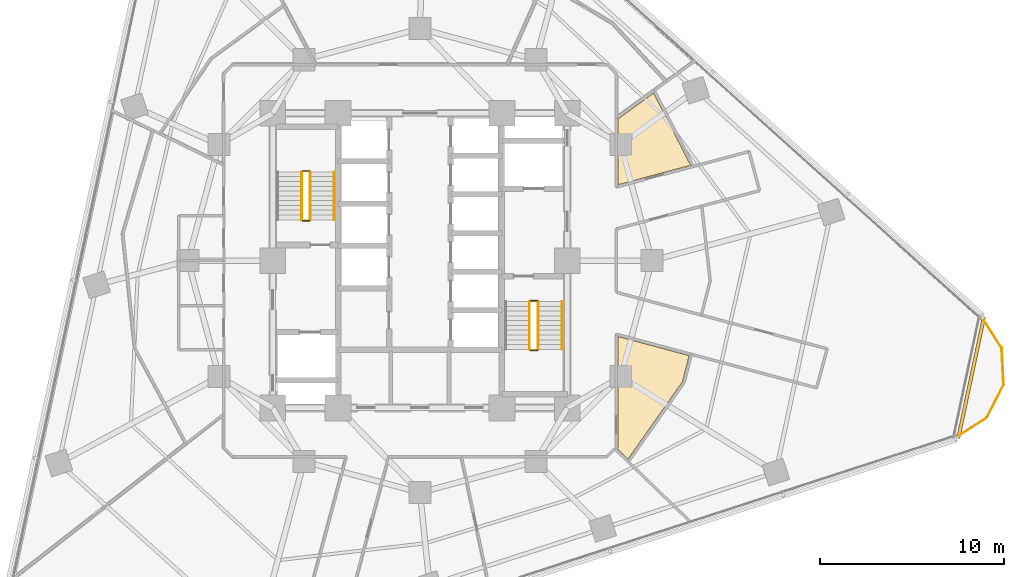
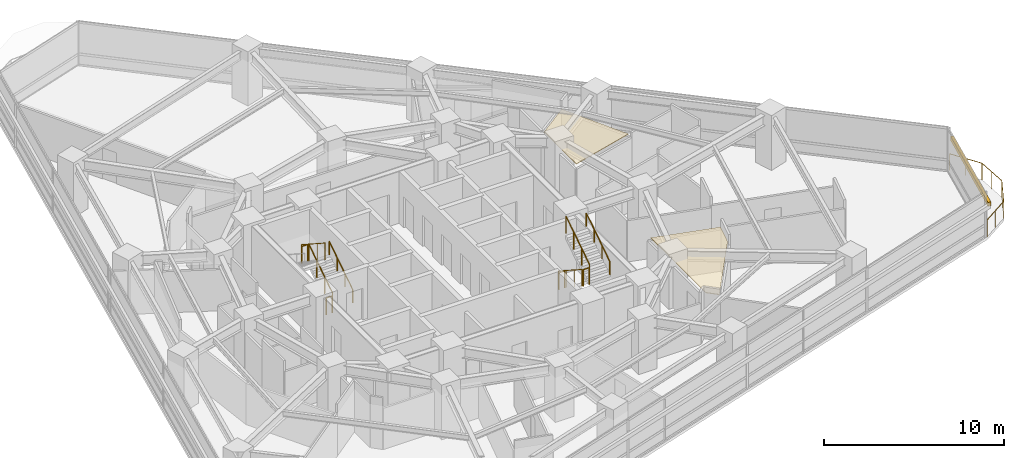
# One storey, part 12 of 13: 11 railings, 2 coverings, 1 shading device.
"""IFC4 building model written with IfcOpenShell, lengths in metres."""

from ifc_helpers import new_model, si_unit, direction, frame, origin, origin_2d, place, context, subcontext, project, spatial, polyline, rectangle, circle, outline, extrude, material, layer, layer_set, type_object, element, save


model = new_model("IFC4")

# Units and contexts
model_context = context("Model", 3, precision=1e-05, world=origin(), true_north=direction((0.0, 1.0)))
body_context = subcontext(model_context, "Body", "Model", "MODEL_VIEW")
ifc_project = project(units=[si_unit("LENGTHUNIT", "METRE"), si_unit("AREAUNIT", "SQUARE_METRE"), si_unit("VOLUMEUNIT", "CUBIC_METRE"), si_unit("PLANEANGLEUNIT", "RADIAN"), si_unit("MASSUNIT", "GRAM", prefix="KILO")], contexts=[model_context])

# Site, building, storey
site_placement = place(None, origin())
site = spatial("IfcSite", under=ifc_project, at=site_placement, CompositionType="ELEMENT")
building_placement = place(site_placement, origin())
building = spatial("IfcBuilding", under=site, at=building_placement, Name="Terralouvre Media Tower", CompositionType="ELEMENT")
storey_placement = place(building_placement, frame((0.0, 0.0, 105.10009765625)))
storey = spatial("IfcBuildingStorey", under=building, at=storey_placement, Name="L26", CompositionType="ELEMENT", Elevation=105.10009765625)

# Coverings
ifc_material_1 = material(Name="Perforated aluminium acoustic ceiling baffle", Category="aluminium")
ifc_layer_1 = layer(ifc_material_1, 0.0400390625, Name="Perforated Acoustic Metal Tile Ceiling CL-AC1")
ifc_layer_set_1 = layer_set([ifc_layer_1], Name="Perforated aluminium acoustic ceiling baffle")
covering_type = type_object("IfcCoveringType", Name="Perforated Acoustic Metal Tile Ceiling CL-AC1", PredefinedType="CEILING", material=ifc_layer_set_1)
covering_1_placement = place(storey_placement, frame((0.0, 0.0, 2.97998046875), z_axis=(0.0, 0.0, 1.0), x_axis=(0.951056516295, 0.309016994375, 0.0)))
element("IfcCovering", 1, at=covering_1_placement, inside=storey, type_object=covering_type, Name="L26 Club Reading Library 3 Acoustic Ceiling", PredefinedType="CEILING", context=body_context, shape_type="SweptSolid", body=[
    extrude(outline(polyline([(7.418212890625, -13.738525390625), (11.52783203125, -10.65625), (12.308837890625, -9.423828125), (8.949951171875, -7.242431640625), (7.08740234375, -12.97509765625), (7.083740234375, -12.984375), (7.07958984375, -12.9931640625), (7.07421875, -13.00146484375), (7.068359375, -13.00927734375), (7.0615234375, -13.016357421875), (7.05419921875, -13.022705078125), (7.046142578125, -13.0283203125), (7.04248046875, -13.030517578125), (7.418212890625, -13.738525390625)])), origin(), (0.0, 0.0, 1.0), 0.0400390625),
])
covering_2_placement = place(storey_placement, frame((0.0, 0.0, 2.97998046875), z_axis=(0.0, 0.0, 1.0), x_axis=(0.951056516295, 0.309016994375, 0.0)))
element("IfcCovering", 2, at=covering_2_placement, inside=storey, type_object=covering_type, Name="L26 Wellness Club Reception 5 Acoustic Ceiling", PredefinedType="CEILING", context=body_context, shape_type="SweptSolid", body=[
    extrude(outline(polyline([(12.599365234375, 3.98876953125), (11.497802734375, 0.5986328125), (15.578125, 0.385498046875), (14.880126953125, 4.729736328125), (12.599365234375, 3.98876953125)])), origin(), (0.0, 0.0, 1.0), 0.0400390625),
])

# Railings
ifc_material_2 = material(Name="Stainless steel 316 handrail and balustrade", Category="steel")
ifc_layer_2 = layer(ifc_material_2, 0.06005859375, Name="Roof Edge Safety Guardrail GR-ROOF1")
ifc_layer_set_2 = layer_set([ifc_layer_2], Name="Stainless steel 316 handrail and balustrade")
railing_type_1 = type_object("IfcRailingType", Name="Roof Edge Safety Guardrail GR-ROOF1", PredefinedType="GUARDRAIL", material=ifc_layer_set_2)
railing_1_placement = place(storey_placement, frame((29.105224609375, -9.6201171875, 0.0)))
element("IfcRailing", 3, at=railing_1_placement, inside=storey, type_object=railing_type_1, Name="L26 Wind-Corner Perimeter Safety Guardrail C1", PredefinedType="GUARDRAIL", context=body_context, shape_type="SweptSolid", body=[
    extrude(circle(Radius=0.02099609375, at=origin_2d()), frame((0.0, 0.0, 1.12890625), z_axis=(0.838760176544, 0.544501025016, 0.0), x_axis=(-0.544501025016, 0.838760176544, 0.0)), (0.0, 0.0, 1.0), 2.0078125),
    extrude(circle(Radius=0.02099609375, at=origin_2d()), frame((1.68408203125, 1.09326171875, 1.12890625), z_axis=(0.454107952828, 0.890946669099, 0.0), x_axis=(-0.890946669099, 0.454107952828, 0.0)), (0.0, 0.0, 1.0), 2.007568359375),
    extrude(circle(Radius=0.02099609375, at=origin_2d()), frame((2.595703125, 2.8818359375, 1.12890625), z_axis=(-0.052412032372, 0.998625544868, 0.0), x_axis=(-0.998625544868, -0.052412032372, 0.0)), (0.0, 0.0, 1.0), 2.007568359375),
    extrude(circle(Radius=0.02099609375, at=origin_2d()), frame((2.490478515625, 4.88671875, 1.12890625), z_axis=(-0.544868673015, 0.838521394579, 0.0), x_axis=(-0.838521394579, -0.544868673015, 0.0)), (0.0, 0.0, 1.0), 2.0078125),
    extrude(circle(Radius=0.01904296875, at=origin_2d()), origin(), (0.0, 0.0, 1.0), 1.10791015625),
    extrude(circle(Radius=0.01904296875, at=origin_2d()), frame((0.842041015625, 0.546630859375, 0.0)), (0.0, 0.0, 1.0), 1.10791015625),
    extrude(circle(Radius=0.01904296875, at=origin_2d()), frame((1.68408203125, 1.09326171875, 0.0)), (0.0, 0.0, 1.0), 1.10791015625),
    extrude(circle(Radius=0.01904296875, at=origin_2d()), frame((2.139892578125, 1.987548828125, 0.0)), (0.0, 0.0, 1.0), 1.10791015625),
    extrude(circle(Radius=0.01904296875, at=origin_2d()), frame((2.595703125, 2.8818359375, 0.0)), (0.0, 0.0, 1.0), 1.10791015625),
    extrude(circle(Radius=0.01904296875, at=origin_2d()), frame((2.54296875, 3.88427734375, 0.0)), (0.0, 0.0, 1.0), 1.10791015625),
    extrude(circle(Radius=0.01904296875, at=origin_2d()), frame((2.490478515625, 4.88671875, 0.0)), (0.0, 0.0, 1.0), 1.10791015625),
    extrude(circle(Radius=0.01904296875, at=origin_2d()), frame((1.943359375, 5.728515625, 0.0)), (0.0, 0.0, 1.0), 1.10791015625),
    extrude(circle(Radius=0.01904296875, at=origin_2d()), frame((1.396484375, 6.5703125, 0.0)), (0.0, 0.0, 1.0), 1.10791015625),
])
ifc_material_3 = material(Name="Stainless steel 316 handrail and balustrade", Category="steel")
ifc_layer_3 = layer(ifc_material_3, 0.050048828125, Name="Stair Flight Wall Handrail HR-INT1")
ifc_layer_set_3 = layer_set([ifc_layer_3], Name="Stainless steel 316 handrail and balustrade")
railing_type_2 = type_object("IfcRailingType", Name="Stair Flight Wall Handrail HR-INT1", PredefinedType="HANDRAIL", material=ifc_layer_set_3)
for number, where, name in (
    (4, (-4.64990234375, 2.219970703125, 0.16796875), "L26 ST-01 stair handrail 1"),
    (5, (7.72998046875, -4.820068359375, 2.01806640625), "L26 ST-02 stair handrail 2"),
):
    element("IfcRailing", number, at=place(storey_placement, frame(where)), inside=storey, type_object=railing_type_2, Name=name, PredefinedType="HANDRAIL", context=body_context, shape_type="SweptSolid", body=[
        extrude(circle(Radius=0.02392578125, at=origin_2d()), frame((0.0, 0.0, 0.8759765625), z_axis=(0.0, 0.839648411786, 0.543130320075), x_axis=(-1.0, 0.0, 0.0)), (0.0, 0.0, 1.0), 3.0966796875),
        extrude(circle(Radius=0.02099609375, at=origin_2d()), origin(), (0.0, 0.0, 1.0), 0.851806640625),
        extrude(circle(Radius=0.02099609375, at=origin_2d()), frame((0.0, 0.86669921875, 0.560546875)), (0.0, 0.0, 1.0), 0.851806640625),
        extrude(circle(Radius=0.02099609375, at=origin_2d()), frame((0.0, 1.7333984375, 1.121337890625)), (0.0, 0.0, 1.0), 0.851806640625),
        extrude(circle(Radius=0.02099609375, at=origin_2d()), frame((0.0, 2.60009765625, 1.681884765625)), (0.0, 0.0, 1.0), 0.851806640625),
    ])
ifc_material_4 = material(Name="Stainless steel 316 handrail and balustrade", Category="steel")
ifc_layer_4 = layer(ifc_material_4, 0.050048828125, Name="Stairwell Safety Guardrail GR-INT1")
ifc_layer_set_4 = layer_set([ifc_layer_4], Name="Stainless steel 316 handrail and balustrade")
railing_type_3 = type_object("IfcRailingType", Name="Stairwell Safety Guardrail GR-INT1", PredefinedType="GUARDRAIL", material=ifc_layer_set_4)
railing_2_placement = place(storey_placement, frame((-5.949951171875, 2.219970703125, 0.16796875)))
element("IfcRailing", 6, at=railing_2_placement, inside=storey, type_object=railing_type_3, Name="L26 ST-01 stair guard 1", PredefinedType="GUARDRAIL", context=body_context, shape_type="SweptSolid", body=[
    extrude(circle(Radius=0.02392578125, at=origin_2d()), frame((0.0, 0.0, 1.1259765625), z_axis=(0.0, 0.839648411786, 0.543130320075), x_axis=(-1.0, 0.0, 0.0)), (0.0, 0.0, 1.0), 3.0966796875),
    extrude(circle(Radius=0.02099609375, at=origin_2d()), origin(), (0.0, 0.0, 1.0), 1.101806640625),
    extrude(circle(Radius=0.02099609375, at=origin_2d()), frame((0.0, 0.86669921875, 0.560546875)), (0.0, 0.0, 1.0), 1.101806640625),
    extrude(circle(Radius=0.02099609375, at=origin_2d()), frame((0.0, 1.7333984375, 1.121337890625)), (0.0, 0.0, 1.0), 1.101806640625),
    extrude(circle(Radius=0.02099609375, at=origin_2d()), frame((0.0, 2.60009765625, 1.681884765625)), (0.0, 0.0, 1.0), 1.101806640625),
])
railing_3_placement = place(storey_placement, frame((-6.0, 4.8701171875, 1.849853515625)))
element("IfcRailing", 7, at=railing_3_placement, inside=storey, type_object=railing_type_3, Name="L26 ST-01 stair guard 2", PredefinedType="GUARDRAIL", context=body_context, shape_type="SweptSolid", body=[
    extrude(circle(Radius=0.02392578125, at=origin_2d()), frame((0.0, 0.0, 1.1259765625), z_axis=(-1.0, 0.0, 0.0), x_axis=(0.0, -1.0, 0.0)), (0.0, 0.0, 1.0), 0.3798828125),
    extrude(circle(Radius=0.02099609375, at=origin_2d()), origin(), (0.0, 0.0, 1.0), 1.101806640625),
    extrude(circle(Radius=0.02099609375, at=origin_2d()), frame((-0.3798828125, 0.0, 0.0)), (0.0, 0.0, 1.0), 1.101806640625),
])
railing_4_placement = place(storey_placement, frame((-6.429931640625, 4.820068359375, 2.01806640625)))
element("IfcRailing", 8, at=railing_4_placement, inside=storey, type_object=railing_type_3, Name="L26 ST-01 stair guard 3", PredefinedType="GUARDRAIL", context=body_context, shape_type="SweptSolid", body=[
    extrude(circle(Radius=0.02392578125, at=origin_2d()), frame((0.0, 0.0, 1.1259765625), z_axis=(0.0, -0.839648411786, 0.543130320075), x_axis=(1.0, 0.0, 0.0)), (0.0, 0.0, 1.0), 3.0966796875),
    extrude(circle(Radius=0.02099609375, at=origin_2d()), origin(), (0.0, 0.0, 1.0), 1.101806640625),
    extrude(circle(Radius=0.02099609375, at=origin_2d()), frame((0.0, -0.86669921875, 0.560546875)), (0.0, 0.0, 1.0), 1.101806640625),
    extrude(circle(Radius=0.02099609375, at=origin_2d()), frame((0.0, -1.7333984375, 1.121337890625)), (0.0, 0.0, 1.0), 1.101806640625),
    extrude(circle(Radius=0.02099609375, at=origin_2d()), frame((0.0, -2.60009765625, 1.681884765625)), (0.0, 0.0, 1.0), 1.101806640625),
])
railing_5_placement = place(storey_placement, frame((-6.0, 2.169921875, 0.0)))
element("IfcRailing", 9, at=railing_5_placement, inside=storey, type_object=railing_type_3, Name="L26 ST-01 stair guard 4", PredefinedType="GUARDRAIL", context=body_context, shape_type="SweptSolid", body=[
    extrude(circle(Radius=0.02392578125, at=origin_2d()), frame((0.0, 0.0, 1.1259765625), z_axis=(-1.0, 0.0, 0.0), x_axis=(0.0, -1.0, 0.0)), (0.0, 0.0, 1.0), 0.3798828125),
    extrude(circle(Radius=0.02099609375, at=origin_2d()), origin(), (0.0, 0.0, 1.0), 1.101806640625),
    extrude(circle(Radius=0.02099609375, at=origin_2d()), frame((-0.3798828125, 0.0, 0.0)), (0.0, 0.0, 1.0), 1.101806640625),
])
railing_6_placement = place(storey_placement, frame((5.949951171875, -2.219970703125, 0.16796875)))
element("IfcRailing", 10, at=railing_6_placement, inside=storey, type_object=railing_type_3, Name="L26 ST-02 stair guard 1", PredefinedType="GUARDRAIL", context=body_context, shape_type="SweptSolid", body=[
    extrude(circle(Radius=0.02392578125, at=origin_2d()), frame((0.0, 0.0, 1.1259765625), z_axis=(0.0, -0.839648411786, 0.543130320075), x_axis=(1.0, 0.0, 0.0)), (0.0, 0.0, 1.0), 3.0966796875),
    extrude(circle(Radius=0.02099609375, at=origin_2d()), origin(), (0.0, 0.0, 1.0), 1.101806640625),
    extrude(circle(Radius=0.02099609375, at=origin_2d()), frame((0.0, -0.86669921875, 0.560546875)), (0.0, 0.0, 1.0), 1.101806640625),
    extrude(circle(Radius=0.02099609375, at=origin_2d()), frame((0.0, -1.7333984375, 1.121337890625)), (0.0, 0.0, 1.0), 1.101806640625),
    extrude(circle(Radius=0.02099609375, at=origin_2d()), frame((0.0, -2.60009765625, 1.681884765625)), (0.0, 0.0, 1.0), 1.101806640625),
])
railing_7_placement = place(storey_placement, frame((6.0, -4.8701171875, 1.849853515625)))
element("IfcRailing", 11, at=railing_7_placement, inside=storey, type_object=railing_type_3, Name="L26 ST-02 stair guard 2", PredefinedType="GUARDRAIL", context=body_context, shape_type="SweptSolid", body=[
    extrude(circle(Radius=0.02392578125, at=origin_2d()), frame((0.0, 0.0, 1.1259765625), z_axis=(1.0, 0.0, 0.0), x_axis=(0.0, 1.0, 0.0)), (0.0, 0.0, 1.0), 0.3798828125),
    extrude(circle(Radius=0.02099609375, at=origin_2d()), origin(), (0.0, 0.0, 1.0), 1.101806640625),
    extrude(circle(Radius=0.02099609375, at=origin_2d()), frame((0.3798828125, 0.0, 0.0)), (0.0, 0.0, 1.0), 1.101806640625),
])
railing_8_placement = place(storey_placement, frame((6.429931640625, -4.820068359375, 2.01806640625)))
element("IfcRailing", 12, at=railing_8_placement, inside=storey, type_object=railing_type_3, Name="L26 ST-02 stair guard 3", PredefinedType="GUARDRAIL", context=body_context, shape_type="SweptSolid", body=[
    extrude(circle(Radius=0.02392578125, at=origin_2d()), frame((0.0, 0.0, 1.1259765625), z_axis=(0.0, 0.839648411786, 0.543130320075), x_axis=(-1.0, 0.0, 0.0)), (0.0, 0.0, 1.0), 3.0966796875),
    extrude(circle(Radius=0.02099609375, at=origin_2d()), origin(), (0.0, 0.0, 1.0), 1.101806640625),
    extrude(circle(Radius=0.02099609375, at=origin_2d()), frame((0.0, 0.86669921875, 0.560546875)), (0.0, 0.0, 1.0), 1.101806640625),
    extrude(circle(Radius=0.02099609375, at=origin_2d()), frame((0.0, 1.7333984375, 1.121337890625)), (0.0, 0.0, 1.0), 1.101806640625),
    extrude(circle(Radius=0.02099609375, at=origin_2d()), frame((0.0, 2.60009765625, 1.681884765625)), (0.0, 0.0, 1.0), 1.101806640625),
])
railing_9_placement = place(storey_placement, frame((6.0, -2.169921875, 0.0)))
element("IfcRailing", 13, at=railing_9_placement, inside=storey, type_object=railing_type_3, Name="L26 ST-02 stair guard 4", PredefinedType="GUARDRAIL", context=body_context, shape_type="SweptSolid", body=[
    extrude(circle(Radius=0.02392578125, at=origin_2d()), frame((0.0, 0.0, 1.1259765625), z_axis=(1.0, 0.0, 0.0), x_axis=(0.0, 1.0, 0.0)), (0.0, 0.0, 1.0), 0.3798828125),
    extrude(circle(Radius=0.02099609375, at=origin_2d()), origin(), (0.0, 0.0, 1.0), 1.101806640625),
    extrude(circle(Radius=0.02099609375, at=origin_2d()), frame((0.3798828125, 0.0, 0.0)), (0.0, 0.0, 1.0), 1.101806640625),
])

# Shading device
ifc_material_5 = material(Name="Extruded terracotta baguette sunshade louvres", Category="masonry")
shading_device_type = type_object("IfcShadingDeviceType", Name="Terracotta Baguette Sunshade Louvre Screen TB-LV1", PredefinedType="USERDEFINED", material=ifc_material_5)
shading_device_placement = place(storey_placement, frame((29.935302734375, -6.363037109375, 2.02392578125), z_axis=(0.0, 0.0, 1.0), x_axis=(0.207911611348, 0.978147617626, 0.0)))
element("IfcShadingDevice", 14, at=shading_device_placement, inside=storey, type_object=shading_device_type, Name="CW-L26-C1 Terracotta Baguette Sunshade Louvre", ObjectType="BAGUETTE", PredefinedType="USERDEFINED", context=body_context, shape_type="SweptSolid", body=[
    extrude(rectangle(XDim=6.720458984375, YDim=0.179931640625, at=origin_2d()), origin(), (0.0, 0.0, 1.0), 0.280029296875),
])

save(model, "model.ifc")
